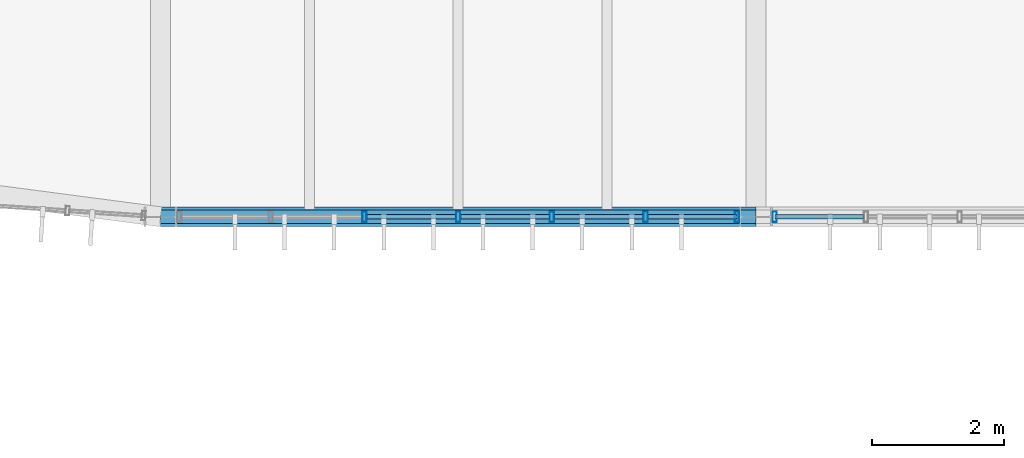
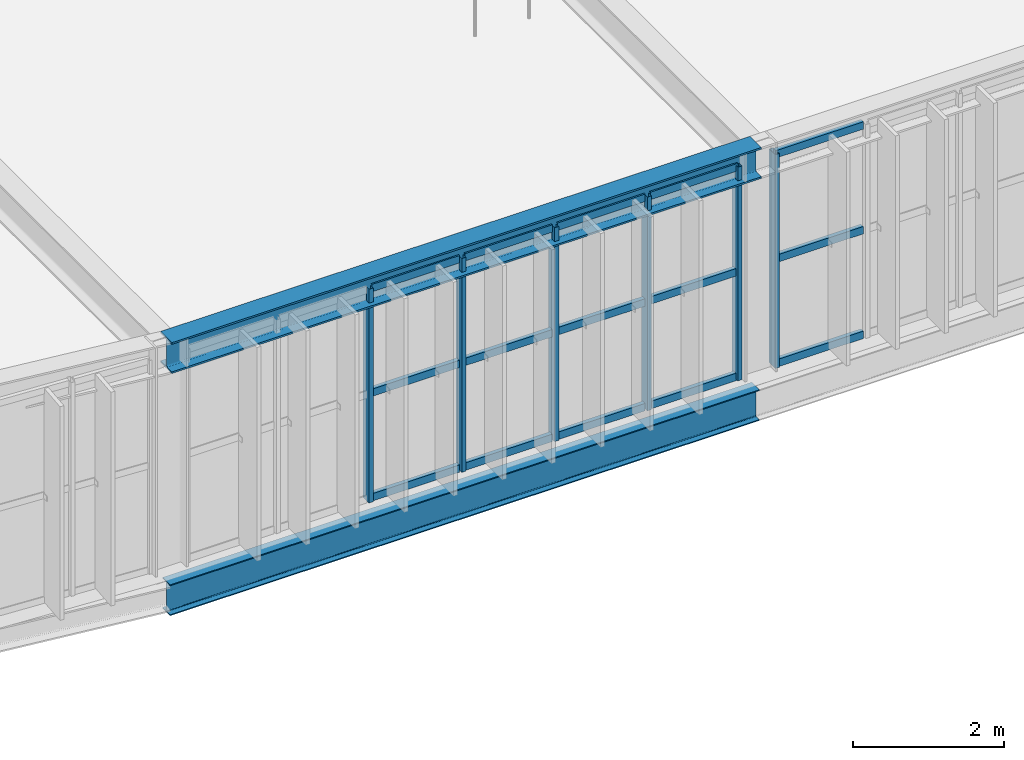
# One storey, part 19 of 152: 21 members, 2 beams, 2 elements without a shape of their own.
"""IFC4 building model written with IfcOpenShell, lengths in metres."""

from ifc_helpers import new_model, si_unit, derived_unit, direction, frame, origin, origin_2d, place, context, subcontext, project, spatial, hollow_rectangle, i_section, extrude, material, material_profile, profile_set, type_object, element, aggregate, save


model = new_model("IFC4")

# Units and contexts
model_context = context("Model", 3, precision=1e-05, world=origin(), true_north=direction((0.0, 1.0)))
body_context = subcontext(model_context, "Body", "Model", "MODEL_VIEW")
ifc_project = project(units=[si_unit("LENGTHUNIT", "METRE"), si_unit("AREAUNIT", "SQUARE_METRE"), si_unit("VOLUMEUNIT", "CUBIC_METRE"), si_unit("PLANEANGLEUNIT", "RADIAN"), si_unit("MASSUNIT", "GRAM", prefix="KILO"), si_unit("THERMODYNAMICTEMPERATUREUNIT", "KELVIN"), si_unit("TIMEUNIT", "SECOND"), derived_unit("THERMALTRANSMITTANCEUNIT", [(si_unit("MASSUNIT", "GRAM", prefix="KILO"), 1), (si_unit("THERMODYNAMICTEMPERATUREUNIT", "KELVIN"), -1), (si_unit("TIMEUNIT", "SECOND"), -3)])], contexts=[model_context])

# Site, building, storey
site_placement = place(None, origin())
site = spatial("IfcSite", under=ifc_project, at=site_placement, CompositionType="ELEMENT")
building_placement = place(site_placement, origin())
building = spatial("IfcBuilding", under=site, at=building_placement, Name="Cambertide Market Hall", CompositionType="ELEMENT")
storey_placement = place(building_placement, frame((0.0, 0.0, 5.39990234375)))
storey = spatial("IfcBuildingStorey", under=building, at=storey_placement, Name="L02", CompositionType="ELEMENT", Elevation=5.39990234375)

# Curtain wall, members
ifc_material_1 = material(Name="Marine Anodized Aluminium 6063-T6 AA25", Category="aluminium")
curtain_wall_type = type_object("IfcCurtainWallType", Name="Lantern Straight Upper Curtain Wall", PredefinedType="USERDEFINED", material=ifc_material_1)
curtain_wall_1_placement = place(storey_placement, origin())
curtain_wall_1 = element("IfcCurtainWall", 1, at=curtain_wall_1_placement, inside=storey, type_object=curtain_wall_type, Name="Level 2 Curtain Wall CW-V1S-L02-1", ObjectType="UNITIZED CURTAIN WALL", PredefinedType="USERDEFINED")
ifc_material_2 = material(Name="Champagne Marine Anodized Aluminium 6063-T6 AA25", Category="aluminium")
ifc_material_profile_1 = material_profile(ifc_material_2, hollow_rectangle(XDim=0.06494140625, YDim=0.159912109375, WallThickness=0.00341796875, at=origin_2d()), Name="ALU MULLION 65x160")
ifc_profile_set_1 = profile_set([ifc_material_profile_1], Name="Champagne Marine Anodized Aluminium 6063-T6 AA25")
member_type_1 = type_object("IfcMemberType", Name="Curtain Wall Mullion ALU MULLION 65x160", PredefinedType="MULLION", material=ifc_profile_set_1)
member_1_placement = place(storey_placement, frame((50.715087890625, 52.0, 0.0), z_axis=(0.0, 0.0, 1.0), x_axis=(-1.0, 0.0, 0.0)))
member_1 = element("IfcMember", 2, at=member_1_placement, type_object=member_type_1, Name="CW-V1S-L02-1 Mullion 1", PredefinedType="MULLION", context=body_context, shape_type="SweptSolid", body=[
    extrude(hollow_rectangle(XDim=0.06494140625, YDim=0.159912109375, WallThickness=0.00341796875, at=origin_2d()), origin(), (0.0, 0.0, 1.0), 3.4501953125),
])
member_2_placement = place(storey_placement, frame((49.333251953125, 52.0, 0.0), z_axis=(0.0, 0.0, 1.0), x_axis=(-1.0, 0.0, 0.0)))
member_2 = element("IfcMember", 3, at=member_2_placement, type_object=member_type_1, Name="CW-V1S-L02-1 Mullion 2", PredefinedType="MULLION", context=body_context, shape_type="SweptSolid", body=[
    extrude(hollow_rectangle(XDim=0.06494140625, YDim=0.159912109375, WallThickness=0.00341796875, at=origin_2d()), origin(), (0.0, 0.0, 1.0), 3.4501953125),
])
member_3_placement = place(storey_placement, frame((47.916748046875, 52.0, 0.0), z_axis=(0.0, 0.0, 1.0), x_axis=(-1.0, 0.0, 0.0)))
member_3 = element("IfcMember", 4, at=member_3_placement, type_object=member_type_1, Name="CW-V1S-L02-1 Mullion 3", PredefinedType="MULLION", context=body_context, shape_type="SweptSolid", body=[
    extrude(hollow_rectangle(XDim=0.06494140625, YDim=0.159912109375, WallThickness=0.00341796875, at=origin_2d()), origin(), (0.0, 0.0, 1.0), 3.4501953125),
])
member_4_placement = place(storey_placement, frame((46.5, 52.0, 0.0), z_axis=(0.0, 0.0, 1.0), x_axis=(-1.0, 0.0, 0.0)))
member_4 = element("IfcMember", 5, at=member_4_placement, type_object=member_type_1, Name="CW-V1S-L02-1 Mullion 4", PredefinedType="MULLION", context=body_context, shape_type="SweptSolid", body=[
    extrude(hollow_rectangle(XDim=0.06494140625, YDim=0.159912109375, WallThickness=0.00341796875, at=origin_2d()), origin(), (0.0, 0.0, 1.0), 3.4501953125),
])
member_5_placement = place(storey_placement, frame((45.083251953125, 52.0, 0.0), z_axis=(0.0, 0.0, 1.0), x_axis=(-1.0, 0.0, 0.0)))
member_5 = element("IfcMember", 6, at=member_5_placement, type_object=member_type_1, Name="CW-V1S-L02-1 Mullion 5", PredefinedType="MULLION", context=body_context, shape_type="SweptSolid", body=[
    extrude(hollow_rectangle(XDim=0.06494140625, YDim=0.159912109375, WallThickness=0.00341796875, at=origin_2d()), origin(), (0.0, 0.0, 1.0), 3.4501953125),
])

# Curtain wall, member
curtain_wall_2_placement = place(storey_placement, origin())
curtain_wall_2 = element("IfcCurtainWall", 7, at=curtain_wall_2_placement, inside=storey, type_object=curtain_wall_type, Name="Level 2 Curtain Wall CW-V1S-L02-2", ObjectType="UNITIZED CURTAIN WALL", PredefinedType="USERDEFINED")
member_6_placement = place(storey_placement, frame((51.284912109375, 52.0, 0.0), z_axis=(0.0, 0.0, 1.0), x_axis=(-1.0, 0.0, 0.0)))
member_6 = element("IfcMember", 8, at=member_6_placement, type_object=member_type_1, Name="CW-V1S-L02-2 Mullion 7", PredefinedType="MULLION", context=body_context, shape_type="SweptSolid", body=[
    extrude(hollow_rectangle(XDim=0.06494140625, YDim=0.159912109375, WallThickness=0.00341796875, at=origin_2d()), origin(), (0.0, 0.0, 1.0), 3.4501953125),
])

# Member
ifc_material_3 = material(Name="Champagne Marine Anodized Aluminium 6063-T6 AA25", Category="aluminium")
ifc_material_profile_2 = material_profile(ifc_material_3, hollow_rectangle(XDim=0.06494140625, YDim=0.1201171875, WallThickness=0.003173828125, at=origin_2d()), Name="ALU TRANSOM 65x120")
ifc_profile_set_2 = profile_set([ifc_material_profile_2], Name="Champagne Marine Anodized Aluminium 6063-T6 AA25")
member_type_2 = type_object("IfcMemberType", Name="Curtain Wall Transom ALU TRANSOM 65x120", PredefinedType="USERDEFINED", material=ifc_profile_set_2)
member_7_placement = place(storey_placement, frame((50.7099609375, 52.0, 0.03515625), z_axis=(-1.0, 0.0, 0.0), x_axis=(0.0, -1.0, 0.0)))
member_7 = element("IfcMember", 9, at=member_7_placement, type_object=member_type_2, Name="CW-V1S-L02-1 Transom 1-1", ObjectType="TRANSOM", PredefinedType="USERDEFINED", context=body_context, shape_type="SweptSolid", body=[
    extrude(hollow_rectangle(XDim=0.06494140625, YDim=0.1201171875, WallThickness=0.003173828125, at=origin_2d()), origin(), (0.0, 0.0, 1.0), 1.336669921875),
])

member_8_placement = place(storey_placement, frame((49.293212890625, 52.0, 0.03515625), z_axis=(-1.0, 0.0, 0.0), x_axis=(0.0, -1.0, 0.0)))
member_8 = element("IfcMember", 10, at=member_8_placement, type_object=member_type_2, Name="CW-V1S-L02-1 Transom 1-2", ObjectType="TRANSOM", PredefinedType="USERDEFINED", context=body_context, shape_type="SweptSolid", body=[
    extrude(hollow_rectangle(XDim=0.06494140625, YDim=0.1201171875, WallThickness=0.003173828125, at=origin_2d()), origin(), (0.0, 0.0, 1.0), 1.33642578125),
])

member_9_placement = place(storey_placement, frame((47.876708984375, 52.0, 0.03515625), z_axis=(-1.0, 0.0, 0.0), x_axis=(0.0, -1.0, 0.0)))
member_9 = element("IfcMember", 11, at=member_9_placement, type_object=member_type_2, Name="CW-V1S-L02-1 Transom 1-3", ObjectType="TRANSOM", PredefinedType="USERDEFINED", context=body_context, shape_type="SweptSolid", body=[
    extrude(hollow_rectangle(XDim=0.06494140625, YDim=0.1201171875, WallThickness=0.003173828125, at=origin_2d()), origin(), (0.0, 0.0, 1.0), 1.336669921875),
])

member_10_placement = place(storey_placement, frame((46.4599609375, 52.0, 0.03515625), z_axis=(-1.0, 0.0, 0.0), x_axis=(0.0, -1.0, 0.0)))
member_10 = element("IfcMember", 12, at=member_10_placement, type_object=member_type_2, Name="CW-V1S-L02-1 Transom 1-4", ObjectType="TRANSOM", PredefinedType="USERDEFINED", context=body_context, shape_type="SweptSolid", body=[
    extrude(hollow_rectangle(XDim=0.06494140625, YDim=0.1201171875, WallThickness=0.003173828125, at=origin_2d()), origin(), (0.0, 0.0, 1.0), 1.336669921875),
])

member_11_placement = place(storey_placement, frame((50.7099609375, 52.0, 1.72509765625), z_axis=(-1.0, 0.0, 0.0), x_axis=(0.0, -1.0, 0.0)))
member_11 = element("IfcMember", 13, at=member_11_placement, type_object=member_type_2, Name="CW-V1S-L02-1 Transom 2-1", ObjectType="TRANSOM", PredefinedType="USERDEFINED", context=body_context, shape_type="SweptSolid", body=[
    extrude(hollow_rectangle(XDim=0.06494140625, YDim=0.1201171875, WallThickness=0.003173828125, at=origin_2d()), origin(), (0.0, 0.0, 1.0), 1.336669921875),
])

member_12_placement = place(storey_placement, frame((49.293212890625, 52.0, 1.72509765625), z_axis=(-1.0, 0.0, 0.0), x_axis=(0.0, -1.0, 0.0)))
member_12 = element("IfcMember", 14, at=member_12_placement, type_object=member_type_2, Name="CW-V1S-L02-1 Transom 2-2", ObjectType="TRANSOM", PredefinedType="USERDEFINED", context=body_context, shape_type="SweptSolid", body=[
    extrude(hollow_rectangle(XDim=0.06494140625, YDim=0.1201171875, WallThickness=0.003173828125, at=origin_2d()), origin(), (0.0, 0.0, 1.0), 1.33642578125),
])

member_13_placement = place(storey_placement, frame((47.876708984375, 52.0, 1.72509765625), z_axis=(-1.0, 0.0, 0.0), x_axis=(0.0, -1.0, 0.0)))
member_13 = element("IfcMember", 15, at=member_13_placement, type_object=member_type_2, Name="CW-V1S-L02-1 Transom 2-3", ObjectType="TRANSOM", PredefinedType="USERDEFINED", context=body_context, shape_type="SweptSolid", body=[
    extrude(hollow_rectangle(XDim=0.06494140625, YDim=0.1201171875, WallThickness=0.003173828125, at=origin_2d()), origin(), (0.0, 0.0, 1.0), 1.336669921875),
])

member_14_placement = place(storey_placement, frame((46.4599609375, 52.0, 1.72509765625), z_axis=(-1.0, 0.0, 0.0), x_axis=(0.0, -1.0, 0.0)))
member_14 = element("IfcMember", 16, at=member_14_placement, type_object=member_type_2, Name="CW-V1S-L02-1 Transom 2-4", ObjectType="TRANSOM", PredefinedType="USERDEFINED", context=body_context, shape_type="SweptSolid", body=[
    extrude(hollow_rectangle(XDim=0.06494140625, YDim=0.1201171875, WallThickness=0.003173828125, at=origin_2d()), origin(), (0.0, 0.0, 1.0), 1.336669921875),
])

member_15_placement = place(storey_placement, frame((50.7099609375, 52.0, 3.4150390625), z_axis=(-1.0, 0.0, 0.0), x_axis=(0.0, -1.0, 0.0)))
member_15 = element("IfcMember", 17, at=member_15_placement, type_object=member_type_2, Name="CW-V1S-L02-1 Transom 3-1", ObjectType="TRANSOM", PredefinedType="USERDEFINED", context=body_context, shape_type="SweptSolid", body=[
    extrude(hollow_rectangle(XDim=0.06494140625, YDim=0.1201171875, WallThickness=0.003173828125, at=origin_2d()), origin(), (0.0, 0.0, 1.0), 1.336669921875),
])

member_16_placement = place(storey_placement, frame((49.293212890625, 52.0, 3.4150390625), z_axis=(-1.0, 0.0, 0.0), x_axis=(0.0, -1.0, 0.0)))
member_16 = element("IfcMember", 18, at=member_16_placement, type_object=member_type_2, Name="CW-V1S-L02-1 Transom 3-2", ObjectType="TRANSOM", PredefinedType="USERDEFINED", context=body_context, shape_type="SweptSolid", body=[
    extrude(hollow_rectangle(XDim=0.06494140625, YDim=0.1201171875, WallThickness=0.003173828125, at=origin_2d()), origin(), (0.0, 0.0, 1.0), 1.33642578125),
])

member_17_placement = place(storey_placement, frame((47.876708984375, 52.0, 3.4150390625), z_axis=(-1.0, 0.0, 0.0), x_axis=(0.0, -1.0, 0.0)))
member_17 = element("IfcMember", 19, at=member_17_placement, type_object=member_type_2, Name="CW-V1S-L02-1 Transom 3-3", ObjectType="TRANSOM", PredefinedType="USERDEFINED", context=body_context, shape_type="SweptSolid", body=[
    extrude(hollow_rectangle(XDim=0.06494140625, YDim=0.1201171875, WallThickness=0.003173828125, at=origin_2d()), origin(), (0.0, 0.0, 1.0), 1.336669921875),
])

member_18_placement = place(storey_placement, frame((46.4599609375, 52.0, 3.4150390625), z_axis=(-1.0, 0.0, 0.0), x_axis=(0.0, -1.0, 0.0)))
member_18 = element("IfcMember", 20, at=member_18_placement, type_object=member_type_2, Name="CW-V1S-L02-1 Transom 3-4", ObjectType="TRANSOM", PredefinedType="USERDEFINED", context=body_context, shape_type="SweptSolid", body=[
    extrude(hollow_rectangle(XDim=0.06494140625, YDim=0.1201171875, WallThickness=0.003173828125, at=origin_2d()), origin(), (0.0, 0.0, 1.0), 1.336669921875),
])

aggregate(curtain_wall_1, [member_1, member_2, member_3, member_4, member_5, member_7, member_8, member_9, member_10, member_11, member_12, member_13, member_14, member_15, member_16, member_17, member_18])

member_19_placement = place(storey_placement, frame((52.626708984375, 52.0, 0.03515625), z_axis=(-1.0, 0.0, 0.0), x_axis=(0.0, -1.0, 0.0)))
member_19 = element("IfcMember", 21, at=member_19_placement, type_object=member_type_2, Name="CW-V1S-L02-2 Transom 1-6", ObjectType="TRANSOM", PredefinedType="USERDEFINED", context=body_context, shape_type="SweptSolid", body=[
    extrude(hollow_rectangle(XDim=0.06494140625, YDim=0.1201171875, WallThickness=0.003173828125, at=origin_2d()), origin(), (0.0, 0.0, 1.0), 1.336669921875),
])

member_20_placement = place(storey_placement, frame((52.626708984375, 52.0, 1.72509765625), z_axis=(-1.0, 0.0, 0.0), x_axis=(0.0, -1.0, 0.0)))
member_20 = element("IfcMember", 22, at=member_20_placement, type_object=member_type_2, Name="CW-V1S-L02-2 Transom 2-6", ObjectType="TRANSOM", PredefinedType="USERDEFINED", context=body_context, shape_type="SweptSolid", body=[
    extrude(hollow_rectangle(XDim=0.06494140625, YDim=0.1201171875, WallThickness=0.003173828125, at=origin_2d()), origin(), (0.0, 0.0, 1.0), 1.336669921875),
])

member_21_placement = place(storey_placement, frame((52.626708984375, 52.0, 3.4150390625), z_axis=(-1.0, 0.0, 0.0), x_axis=(0.0, -1.0, 0.0)))
member_21 = element("IfcMember", 23, at=member_21_placement, type_object=member_type_2, Name="CW-V1S-L02-2 Transom 3-6", ObjectType="TRANSOM", PredefinedType="USERDEFINED", context=body_context, shape_type="SweptSolid", body=[
    extrude(hollow_rectangle(XDim=0.06494140625, YDim=0.1201171875, WallThickness=0.003173828125, at=origin_2d()), origin(), (0.0, 0.0, 1.0), 1.336669921875),
])

aggregate(curtain_wall_2, [member_6, member_19, member_20, member_21])

# Beams
ifc_material_4 = material(Name="Steel S355", Category="steel")
ifc_material_profile_3 = material_profile(ifc_material_4, i_section(OverallWidth=0.300048828125, OverallDepth=0.5, WebThickness=0.014404296875, FlangeThickness=0.028076171875, FilletRadius=0.027099609375, at=origin_2d()), Name="HEB 500")
ifc_profile_set_3 = profile_set([ifc_material_profile_3], Name="Steel S355")
beam_type_1 = type_object("IfcBeamType", Name="Exterior Steel Girder HEB 500", PredefinedType="BEAM", material=ifc_profile_set_3)
beam_1_placement = place(storey_placement, frame((42.0, 52.0, 3.4501953125), z_axis=(1.0, 0.0, 0.0), x_axis=(0.0, 1.0, 0.0)))
element("IfcBeam", 24, at=beam_1_placement, inside=storey, type_object=beam_type_1, Name="Level 2 Beam EAVE-V1S-1", PredefinedType="BEAM", context=body_context, shape_type="SweptSolid", body=[
    extrude(i_section(OverallWidth=0.300048828125, OverallDepth=0.5, WebThickness=0.014404296875, FlangeThickness=0.028076171875, FilletRadius=0.027099609375, at=origin_2d()), origin(), (0.0, 0.0, 1.0), 9.0),
])
ifc_material_5 = material(Name="Steel S355", Category="steel")
ifc_material_profile_4 = material_profile(ifc_material_5, i_section(OverallWidth=0.199951171875, OverallDepth=0.5, WebThickness=0.01025390625, FlangeThickness=0.01611328125, FilletRadius=0.02099609375, at=origin_2d()), Name="IPE 500")
ifc_profile_set_4 = profile_set([ifc_material_profile_4], Name="Steel S355")
beam_type_2 = type_object("IfcBeamType", Name="Perimeter Spandrel Beam IPE 500", PredefinedType="SPANDREL", material=ifc_profile_set_4)
beam_2_placement = place(storey_placement, frame((42.0, 52.0, -0.489990234375), z_axis=(1.0, 0.0, 0.0), x_axis=(0.0, 1.0, 0.0)))
element("IfcBeam", 25, at=beam_2_placement, inside=storey, type_object=beam_type_2, Name="Level 2 Spandrel BM-V1S-L02-1", PredefinedType="SPANDREL", context=body_context, shape_type="SweptSolid", body=[
    extrude(i_section(OverallWidth=0.199951171875, OverallDepth=0.5, WebThickness=0.01025390625, FlangeThickness=0.01611328125, FilletRadius=0.02099609375, at=origin_2d()), origin(), (0.0, 0.0, 1.0), 9.0),
])

save(model, "model.ifc")
